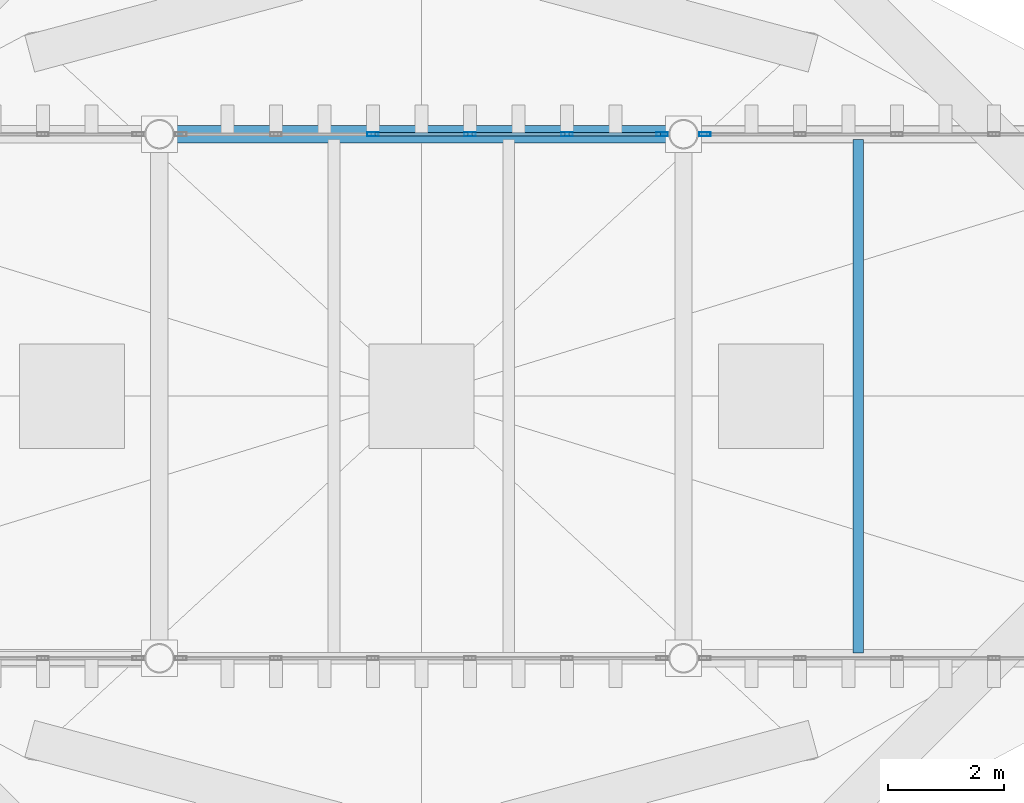
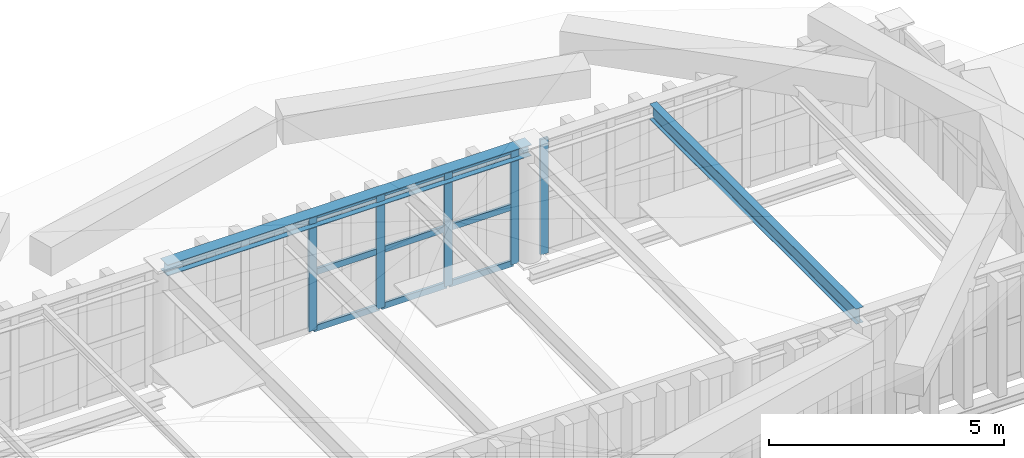
# One storey, part 21 of 102: 14 members, 2 beams, 2 elements without a shape of their own.
"""IFC4 building model written with IfcOpenShell, lengths in metres."""

from ifc_helpers import new_model, si_unit, direction, frame, origin, origin_2d, place, context, subcontext, project, spatial, hollow_rectangle, i_section, extrude, material, layer, layer_set, material_profile, profile_set, type_object, element, aggregate, save


model = new_model("IFC4")

# Units and contexts
model_context = context("Model", 3, precision=1e-05, world=origin(), true_north=direction((0.0, 1.0)))
body_context = subcontext(model_context, "Body", "Model", "MODEL_VIEW")
ifc_project = project(units=[si_unit("LENGTHUNIT", "METRE"), si_unit("AREAUNIT", "SQUARE_METRE"), si_unit("VOLUMEUNIT", "CUBIC_METRE"), si_unit("PLANEANGLEUNIT", "RADIAN"), si_unit("MASSUNIT", "GRAM", prefix="KILO")], contexts=[model_context])

# Site, building, storey
site_placement = place(None, origin())
site = spatial("IfcSite", under=ifc_project, at=site_placement, CompositionType="ELEMENT")
building_placement = place(site_placement, origin())
building = spatial("IfcBuilding", under=site, at=building_placement, Name="Barlavento Convention Centre", CompositionType="ELEMENT")
storey_placement = place(building_placement, frame((0.0, 0.0, 22.800048828125)))
storey = spatial("IfcBuildingStorey", under=building, at=storey_placement, Name="L04", CompositionType="ELEMENT", Elevation=22.800048828125)

# Curtain wall, members
ifc_material_1 = material(Name="Powder-coated aluminium and Low-E glass", Category="aluminium")
ifc_layer = layer(ifc_material_1, 0.18505859375)
ifc_layer_set = layer_set([ifc_layer], Name="ARC-CW-CONF-L04")
curtain_wall_type = type_object("IfcCurtainWallType", Name="ARC-CW-CONF-L04", PredefinedType="NOTDEFINED", material=ifc_layer_set)
curtain_wall_1_placement = place(storey_placement, origin())
curtain_wall_1 = element("IfcCurtainWall", 1, at=curtain_wall_1_placement, inside=storey, type_object=curtain_wall_type, Name="L04 unitised curtain wall CW09", PredefinedType="NOTDEFINED")
ifc_material_2 = material(Name="Powder-coated aluminium", Category="aluminium")
ifc_material_profile_1 = material_profile(ifc_material_2, hollow_rectangle(XDim=0.06494140625, YDim=0.199951171875, WallThickness=0.0048828125, at=origin_2d()), Name="AL-MULL 65x200x5")
ifc_profile_set_1 = profile_set([ifc_material_profile_1], Name="Powder-coated aluminium")
member_type_1 = type_object("IfcMemberType", Name="ARC-CWM-65X200", PredefinedType="MULLION", material=ifc_profile_set_1)
member_1_placement = place(storey_placement, frame((93.666748046875, 54.0, 0.0), z_axis=(0.0, 0.0, 1.0), x_axis=(0.0, 1.0, 0.0)))
member_1 = element("IfcMember", 2, at=member_1_placement, type_object=member_type_1, Name="CW09 mullion 3", PredefinedType="MULLION", context=body_context, shape_type="SweptSolid", body=[
    extrude(hollow_rectangle(XDim=0.06494140625, YDim=0.199951171875, WallThickness=0.0048828125, at=origin_2d()), origin(), (0.0, 0.0, 1.0), 3.0),
])
member_2_placement = place(storey_placement, frame((95.333251953125, 54.0, 0.0), z_axis=(0.0, 0.0, 1.0), x_axis=(0.0, 1.0, 0.0)))
member_2 = element("IfcMember", 3, at=member_2_placement, type_object=member_type_1, Name="CW09 mullion 4", PredefinedType="MULLION", context=body_context, shape_type="SweptSolid", body=[
    extrude(hollow_rectangle(XDim=0.06494140625, YDim=0.199951171875, WallThickness=0.0048828125, at=origin_2d()), origin(), (0.0, 0.0, 1.0), 3.0),
])
member_3_placement = place(storey_placement, frame((96.99951171875, 54.0, 0.0), z_axis=(0.0, 0.0, 1.0), x_axis=(0.0, 1.0, 0.0)))
member_3 = element("IfcMember", 4, at=member_3_placement, type_object=member_type_1, Name="CW09 mullion 5", PredefinedType="MULLION", context=body_context, shape_type="SweptSolid", body=[
    extrude(hollow_rectangle(XDim=0.06494140625, YDim=0.199951171875, WallThickness=0.0048828125, at=origin_2d()), origin(), (0.0, 0.0, 1.0), 3.0),
])
member_4_placement = place(storey_placement, frame((98.633544921875, 54.0, 0.0), z_axis=(0.0, 0.0, 1.0), x_axis=(0.0, 1.0, 0.0)))
member_4 = element("IfcMember", 5, at=member_4_placement, type_object=member_type_1, Name="CW09 mullion 6", PredefinedType="MULLION", context=body_context, shape_type="SweptSolid", body=[
    extrude(hollow_rectangle(XDim=0.06494140625, YDim=0.199951171875, WallThickness=0.0048828125, at=origin_2d()), origin(), (0.0, 0.0, 1.0), 3.0),
])

# Curtain wall, member
curtain_wall_2_placement = place(storey_placement, origin())
curtain_wall_2 = element("IfcCurtainWall", 6, at=curtain_wall_2_placement, inside=storey, type_object=curtain_wall_type, Name="L04 unitised curtain wall CW09", PredefinedType="NOTDEFINED")
member_5_placement = place(storey_placement, frame((99.366455078125, 54.0, 0.0), z_axis=(0.0, 0.0, 1.0), x_axis=(0.0, 1.0, 0.0)))
member_5 = element("IfcMember", 7, at=member_5_placement, type_object=member_type_1, Name="CW09 mullion 1", PredefinedType="MULLION", context=body_context, shape_type="SweptSolid", body=[
    extrude(hollow_rectangle(XDim=0.06494140625, YDim=0.199951171875, WallThickness=0.0048828125, at=origin_2d()), origin(), (0.0, 0.0, 1.0), 3.0),
])
aggregate(curtain_wall_2, [member_5])

# Member
ifc_material_profile_2 = material_profile(ifc_material_2, hollow_rectangle(XDim=0.06494140625, YDim=0.159912109375, WallThickness=0.0048828125, at=origin_2d()), Name="AL-TRAN 65x160x5")
ifc_profile_set_2 = profile_set([ifc_material_profile_2], Name="Powder-coated aluminium")
member_type_2 = type_object("IfcMemberType", Name="ARC-CWT-65X160", PredefinedType="USERDEFINED", material=ifc_profile_set_2)
member_6_placement = place(storey_placement, frame((93.69921875, 54.0, 0.032470703125), z_axis=(1.0, 0.0, 0.0), x_axis=(0.0, 1.0, 0.0)))
member_6 = element("IfcMember", 8, at=member_6_placement, type_object=member_type_2, Name="CW09 transom 3.1", ObjectType="TRANSOM", PredefinedType="USERDEFINED", context=body_context, shape_type="SweptSolid", body=[
    extrude(hollow_rectangle(XDim=0.06494140625, YDim=0.159912109375, WallThickness=0.0048828125, at=origin_2d()), origin(), (0.0, 0.0, 1.0), 1.6015625),
])

member_7_placement = place(storey_placement, frame((93.69921875, 54.0, 1.5), z_axis=(1.0, 0.0, 0.0), x_axis=(0.0, 1.0, 0.0)))
member_7 = element("IfcMember", 9, at=member_7_placement, type_object=member_type_2, Name="CW09 transom 3.2", ObjectType="TRANSOM", PredefinedType="USERDEFINED", context=body_context, shape_type="SweptSolid", body=[
    extrude(hollow_rectangle(XDim=0.06494140625, YDim=0.159912109375, WallThickness=0.0048828125, at=origin_2d()), origin(), (0.0, 0.0, 1.0), 1.6015625),
])

member_8_placement = place(storey_placement, frame((93.69921875, 54.0, 2.967529296875), z_axis=(1.0, 0.0, 0.0), x_axis=(0.0, 1.0, 0.0)))
member_8 = element("IfcMember", 10, at=member_8_placement, type_object=member_type_2, Name="CW09 transom 3.3", ObjectType="TRANSOM", PredefinedType="USERDEFINED", context=body_context, shape_type="SweptSolid", body=[
    extrude(hollow_rectangle(XDim=0.06494140625, YDim=0.159912109375, WallThickness=0.0048828125, at=origin_2d()), origin(), (0.0, 0.0, 1.0), 1.6015625),
])

member_9_placement = place(storey_placement, frame((95.36572265625, 54.0, 0.032470703125), z_axis=(1.0, 0.0, 0.0), x_axis=(0.0, 1.0, 0.0)))
member_9 = element("IfcMember", 11, at=member_9_placement, type_object=member_type_2, Name="CW09 transom 4.1", ObjectType="TRANSOM", PredefinedType="USERDEFINED", context=body_context, shape_type="SweptSolid", body=[
    extrude(hollow_rectangle(XDim=0.06494140625, YDim=0.159912109375, WallThickness=0.0048828125, at=origin_2d()), origin(), (0.0, 0.0, 1.0), 1.601318359375),
])

member_10_placement = place(storey_placement, frame((95.36572265625, 54.0, 1.5), z_axis=(1.0, 0.0, 0.0), x_axis=(0.0, 1.0, 0.0)))
member_10 = element("IfcMember", 12, at=member_10_placement, type_object=member_type_2, Name="CW09 transom 4.2", ObjectType="TRANSOM", PredefinedType="USERDEFINED", context=body_context, shape_type="SweptSolid", body=[
    extrude(hollow_rectangle(XDim=0.06494140625, YDim=0.159912109375, WallThickness=0.0048828125, at=origin_2d()), origin(), (0.0, 0.0, 1.0), 1.601318359375),
])

member_11_placement = place(storey_placement, frame((95.36572265625, 54.0, 2.967529296875), z_axis=(1.0, 0.0, 0.0), x_axis=(0.0, 1.0, 0.0)))
member_11 = element("IfcMember", 13, at=member_11_placement, type_object=member_type_2, Name="CW09 transom 4.3", ObjectType="TRANSOM", PredefinedType="USERDEFINED", context=body_context, shape_type="SweptSolid", body=[
    extrude(hollow_rectangle(XDim=0.06494140625, YDim=0.159912109375, WallThickness=0.0048828125, at=origin_2d()), origin(), (0.0, 0.0, 1.0), 1.601318359375),
])

member_12_placement = place(storey_placement, frame((97.031982421875, 54.0, 0.032470703125), z_axis=(1.0, 0.0, 0.0), x_axis=(0.0, 1.0, 0.0)))
member_12 = element("IfcMember", 14, at=member_12_placement, type_object=member_type_2, Name="CW09 transom 5.1", ObjectType="TRANSOM", PredefinedType="USERDEFINED", context=body_context, shape_type="SweptSolid", body=[
    extrude(hollow_rectangle(XDim=0.06494140625, YDim=0.159912109375, WallThickness=0.0048828125, at=origin_2d()), origin(), (0.0, 0.0, 1.0), 1.569091796875),
])

member_13_placement = place(storey_placement, frame((97.031982421875, 54.0, 1.5), z_axis=(1.0, 0.0, 0.0), x_axis=(0.0, 1.0, 0.0)))
member_13 = element("IfcMember", 15, at=member_13_placement, type_object=member_type_2, Name="CW09 transom 5.2", ObjectType="TRANSOM", PredefinedType="USERDEFINED", context=body_context, shape_type="SweptSolid", body=[
    extrude(hollow_rectangle(XDim=0.06494140625, YDim=0.159912109375, WallThickness=0.0048828125, at=origin_2d()), origin(), (0.0, 0.0, 1.0), 1.569091796875),
])

member_14_placement = place(storey_placement, frame((97.031982421875, 54.0, 2.967529296875), z_axis=(1.0, 0.0, 0.0), x_axis=(0.0, 1.0, 0.0)))
member_14 = element("IfcMember", 16, at=member_14_placement, type_object=member_type_2, Name="CW09 transom 5.3", ObjectType="TRANSOM", PredefinedType="USERDEFINED", context=body_context, shape_type="SweptSolid", body=[
    extrude(hollow_rectangle(XDim=0.06494140625, YDim=0.159912109375, WallThickness=0.0048828125, at=origin_2d()), origin(), (0.0, 0.0, 1.0), 1.569091796875),
])

aggregate(curtain_wall_1, [member_1, member_2, member_3, member_4, member_6, member_7, member_8, member_9, member_10, member_11, member_12, member_13, member_14])

# Beams
ifc_material_3 = material(Name="Steel S355", Category="steel")
ifc_material_profile_3 = material_profile(ifc_material_3, i_section(OverallWidth=0.179931640625, OverallDepth=0.39990234375, WebThickness=0.008544921875, FlangeThickness=0.013427734375, FilletRadius=0.02099609375, at=origin_2d()), Name="IPE 400")
ifc_profile_set_3 = profile_set([ifc_material_profile_3], Name="Steel S355")
beam_type_1 = type_object("IfcBeamType", Name="STR-BM-JST-IPE400", PredefinedType="JOIST", material=ifc_profile_set_3)
beam_1_placement = place(storey_placement, frame((102.0, 45.094970703125, 2.85498046875), z_axis=(0.0, 1.0, 0.0), x_axis=(-1.0, 0.0, 0.0)))
element("IfcBeam", 17, at=beam_1_placement, inside=storey, type_object=beam_type_1, Name="L04 composite floor joist SJ04", PredefinedType="JOIST", context=body_context, shape_type="SweptSolid", body=[
    extrude(i_section(OverallWidth=0.179931640625, OverallDepth=0.39990234375, WebThickness=0.008544921875, FlangeThickness=0.013427734375, FilletRadius=0.02099609375, at=origin_2d()), origin(), (0.0, 0.0, 1.0), 8.81005859375),
])
ifc_material_profile_4 = material_profile(ifc_material_3, i_section(OverallWidth=0.300048828125, OverallDepth=0.2900390625, WebThickness=0.008544921875, FlangeThickness=0.013916015625, FilletRadius=0.027099609375, at=origin_2d()), Name="HEA 300")
ifc_profile_set_4 = profile_set([ifc_material_profile_4], Name="Steel S355")
beam_type_2 = type_object("IfcBeamType", Name="STR-BM-SPN-HEA300", PredefinedType="SPANDREL", material=ifc_profile_set_4)
beam_2_placement = place(storey_placement, frame((90.02001953125, 54.0, 2.909912109375), z_axis=(1.0, 0.0, 0.0), x_axis=(0.0, 1.0, 0.0)))
element("IfcBeam", 18, at=beam_2_placement, inside=storey, type_object=beam_type_2, Name="L04 primary girder SP02", PredefinedType="SPANDREL", context=body_context, shape_type="SweptSolid", body=[
    extrude(i_section(OverallWidth=0.300048828125, OverallDepth=0.2900390625, WebThickness=0.008544921875, FlangeThickness=0.013916015625, FilletRadius=0.027099609375, at=origin_2d()), origin(), (0.0, 0.0, 1.0), 8.9599609375),
])

save(model, "model.ifc")
